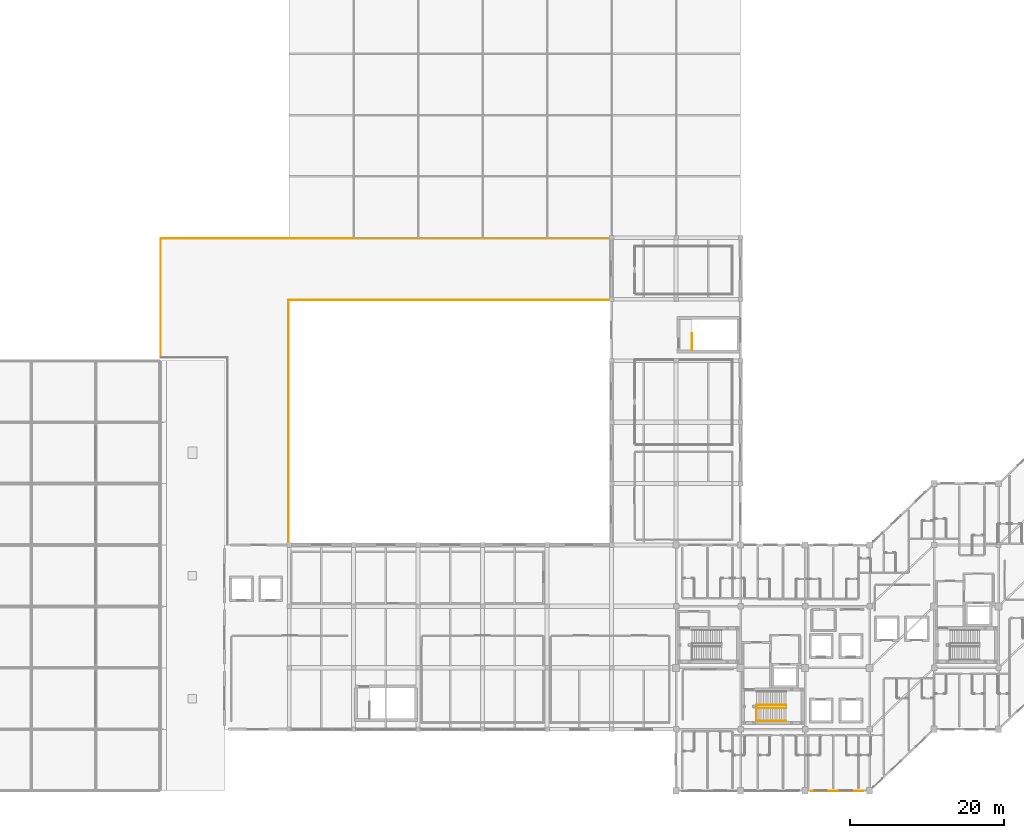
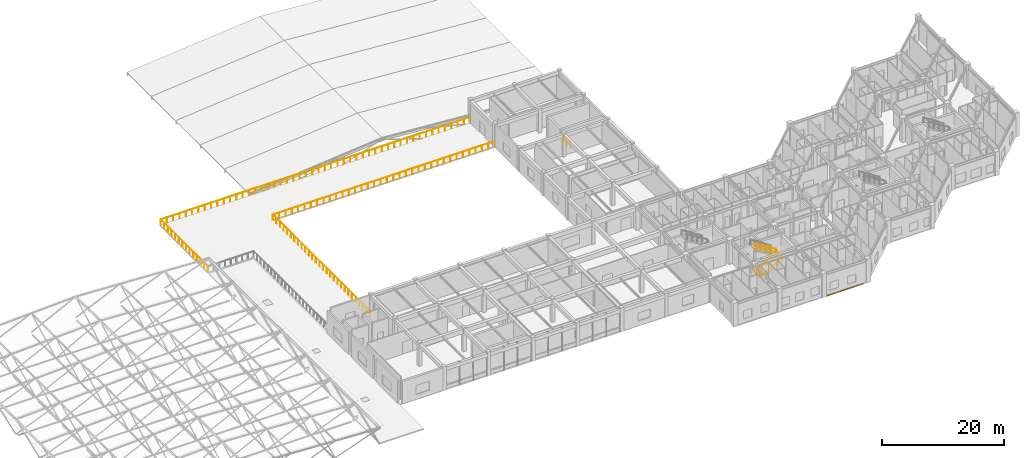
# One storey, part 36 of 37: 9 railings, 1 covering.
"""IFC4 building model written with IfcOpenShell, lengths in metres."""

from ifc_helpers import new_model, si_unit, direction, frame, origin, origin_2d, place, context, subcontext, project, spatial, rectangle, circle, extrude, material, layer, layer_set, type_object, element, save


model = new_model("IFC4")

# Units and contexts
model_context = context("Model", 3, precision=1e-05, world=origin(), true_north=direction((0.0, 1.0)))
body_context = subcontext(model_context, "Body", "Model", "MODEL_VIEW")
ifc_project = project(units=[si_unit("LENGTHUNIT", "METRE"), si_unit("AREAUNIT", "SQUARE_METRE"), si_unit("VOLUMEUNIT", "CUBIC_METRE"), si_unit("PLANEANGLEUNIT", "RADIAN"), si_unit("MASSUNIT", "GRAM", prefix="KILO")], contexts=[model_context])

# Site, building, storey
site_placement = place(None, origin())
site = spatial("IfcSite", under=ifc_project, at=site_placement, CompositionType="ELEMENT")
building_placement = place(site_placement, origin())
building = spatial("IfcBuilding", under=site, at=building_placement, Name="Naruveol Harbour Congress Hotel", CompositionType="ELEMENT")
storey_placement = place(building_placement, frame((0.0, 0.0, 16.199951171875)))
storey = spatial("IfcBuildingStorey", under=building, at=storey_placement, Name="L03", CompositionType="ELEMENT", Elevation=16.199951171875)

# Covering
ifc_material_1 = material(Name="Precast concrete C40/50", Category="concrete")
ifc_layer_1 = layer(ifc_material_1, 0.044921875)
ifc_layer_set_1 = layer_set([ifc_layer_1], Name="Precast concrete C40/50")
covering_type = type_object("IfcCoveringType", Name="HONED INCHEON GRANITE SPANDREL CLADDING 45", PredefinedType="CLADDING", material=ifc_layer_set_1)
covering_placement = place(storey_placement, frame((138.60009765625, -0.02001953125, -0.25), z_axis=(0.0, 0.0, 1.0), x_axis=(1.0, 0.0, 0.0)))
element("IfcCovering", 1, at=covering_placement, inside=storey, type_object=covering_type, Name="Granite spandrel fascia cladding #12", PredefinedType="CLADDING", context=body_context, shape_type="SweptSolid", body=[
    extrude(rectangle(XDim=6.800048828125, YDim=0.044921875, at=origin_2d()), origin(), (0.0, 0.0, 1.0), 0.280029296875),
])

# Railings
ifc_material_2 = material(Name="Tempered Laminated Safety Glass & Stainless Steel", Category="steel")
ifc_layer_2 = layer(ifc_material_2, 0.06005859375)
ifc_layer_set_2 = layer_set([ifc_layer_2], Name="Tempered Laminated Safety Glass & Stainless Steel")
railing_type_1 = type_object("IfcRailingType", Name="LAMINATED GLASS TERRACE BALUSTRADE 1150", PredefinedType="BALUSTRADE", material=ifc_layer_set_2)
railing_1_placement = place(storey_placement, frame((50.47998046875, 56.419921875, 0.0)))
element("IfcRailing", 2, at=railing_1_placement, inside=storey, type_object=railing_type_1, Name="L03 Public Harbour Roof Terrace outer balustrade #64", PredefinedType="BALUSTRADE", context=body_context, shape_type="SweptSolid", body=[
    extrude(circle(Radius=0.02392578125, at=origin_2d()), frame((0.0, 0.0, 1.1259765625), z_axis=(0.0, 1.0, 0.0), x_axis=(-1.0, 0.0, 0.0)), (0.0, 0.0, 1.0), 15.5),
    extrude(circle(Radius=0.02099609375, at=origin_2d()), origin(), (0.0, 0.0, 1.0), 1.101806640625),
    extrude(circle(Radius=0.02099609375, at=origin_2d()), frame((0.0, 1.1923828125, 0.0)), (0.0, 0.0, 1.0), 1.101806640625),
    extrude(circle(Radius=0.02099609375, at=origin_2d()), frame((0.0, 2.384521484375, 0.0)), (0.0, 0.0, 1.0), 1.101806640625),
    extrude(circle(Radius=0.02099609375, at=origin_2d()), frame((0.0, 3.576904296875, 0.0)), (0.0, 0.0, 1.0), 1.101806640625),
    extrude(circle(Radius=0.02099609375, at=origin_2d()), frame((0.0, 4.769287109375, 0.0)), (0.0, 0.0, 1.0), 1.101806640625),
    extrude(circle(Radius=0.02099609375, at=origin_2d()), frame((0.0, 5.96142578125, 0.0)), (0.0, 0.0, 1.0), 1.101806640625),
    extrude(circle(Radius=0.02099609375, at=origin_2d()), frame((0.0, 7.15380859375, 0.0)), (0.0, 0.0, 1.0), 1.101806640625),
    extrude(circle(Radius=0.02099609375, at=origin_2d()), frame((0.0, 8.34619140625, 0.0)), (0.0, 0.0, 1.0), 1.101806640625),
    extrude(circle(Radius=0.02099609375, at=origin_2d()), frame((0.0, 9.53857421875, 0.0)), (0.0, 0.0, 1.0), 1.101806640625),
    extrude(circle(Radius=0.02099609375, at=origin_2d()), frame((0.0, 10.730712890625, 0.0)), (0.0, 0.0, 1.0), 1.101806640625),
    extrude(circle(Radius=0.02099609375, at=origin_2d()), frame((0.0, 11.923095703125, 0.0)), (0.0, 0.0, 1.0), 1.101806640625),
    extrude(circle(Radius=0.02099609375, at=origin_2d()), frame((0.0, 13.115478515625, 0.0)), (0.0, 0.0, 1.0), 1.101806640625),
    extrude(circle(Radius=0.02099609375, at=origin_2d()), frame((0.0, 14.3076171875, 0.0)), (0.0, 0.0, 1.0), 1.101806640625),
    extrude(circle(Radius=0.02099609375, at=origin_2d()), frame((0.0, 15.5, 0.0)), (0.0, 0.0, 1.0), 1.101806640625),
])
railing_2_placement = place(storey_placement, frame((50.47998046875, 71.919921875, 0.0)))
element("IfcRailing", 3, at=railing_2_placement, inside=storey, type_object=railing_type_1, Name="L03 Public Harbour Roof Terrace outer balustrade #65", PredefinedType="BALUSTRADE", context=body_context, shape_type="SweptSolid", body=[
    extrude(circle(Radius=0.02392578125, at=origin_2d()), frame((0.0, 0.0, 1.1259765625), z_axis=(1.0, 0.0, 0.0), x_axis=(0.0, 1.0, 0.0)), (0.0, 0.0, 1.0), 58.64013671875),
    extrude(circle(Radius=0.02099609375, at=origin_2d()), origin(), (0.0, 0.0, 1.0), 1.101806640625),
    extrude(circle(Radius=0.02099609375, at=origin_2d()), frame((1.19677734375, 0.0, 0.0)), (0.0, 0.0, 1.0), 1.101806640625),
    extrude(circle(Radius=0.02099609375, at=origin_2d()), frame((2.3935546875, 0.0, 0.0)), (0.0, 0.0, 1.0), 1.101806640625),
    extrude(circle(Radius=0.02099609375, at=origin_2d()), frame((3.59033203125, 0.0, 0.0)), (0.0, 0.0, 1.0), 1.101806640625),
    extrude(circle(Radius=0.02099609375, at=origin_2d()), frame((4.786865234375, 0.0, 0.0)), (0.0, 0.0, 1.0), 1.101806640625),
    extrude(circle(Radius=0.02099609375, at=origin_2d()), frame((5.983642578125, 0.0, 0.0)), (0.0, 0.0, 1.0), 1.101806640625),
    extrude(circle(Radius=0.02099609375, at=origin_2d()), frame((7.180419921875, 0.0, 0.0)), (0.0, 0.0, 1.0), 1.101806640625),
    extrude(circle(Radius=0.02099609375, at=origin_2d()), frame((8.377197265625, 0.0, 0.0)), (0.0, 0.0, 1.0), 1.101806640625),
    extrude(circle(Radius=0.02099609375, at=origin_2d()), frame((9.573974609375, 0.0, 0.0)), (0.0, 0.0, 1.0), 1.101806640625),
    extrude(circle(Radius=0.02099609375, at=origin_2d()), frame((10.770751953125, 0.0, 0.0)), (0.0, 0.0, 1.0), 1.101806640625),
    extrude(circle(Radius=0.02099609375, at=origin_2d()), frame((11.96728515625, 0.0, 0.0)), (0.0, 0.0, 1.0), 1.101806640625),
    extrude(circle(Radius=0.02099609375, at=origin_2d()), frame((13.1640625, 0.0, 0.0)), (0.0, 0.0, 1.0), 1.101806640625),
    extrude(circle(Radius=0.02099609375, at=origin_2d()), frame((14.36083984375, 0.0, 0.0)), (0.0, 0.0, 1.0), 1.101806640625),
    extrude(circle(Radius=0.02099609375, at=origin_2d()), frame((15.5576171875, 0.0, 0.0)), (0.0, 0.0, 1.0), 1.101806640625),
    extrude(circle(Radius=0.02099609375, at=origin_2d()), frame((16.75439453125, 0.0, 0.0)), (0.0, 0.0, 1.0), 1.101806640625),
    extrude(circle(Radius=0.02099609375, at=origin_2d()), frame((17.951171875, 0.0, 0.0)), (0.0, 0.0, 1.0), 1.101806640625),
    extrude(circle(Radius=0.02099609375, at=origin_2d()), frame((19.147705078125, 0.0, 0.0)), (0.0, 0.0, 1.0), 1.101806640625),
    extrude(circle(Radius=0.02099609375, at=origin_2d()), frame((20.344482421875, 0.0, 0.0)), (0.0, 0.0, 1.0), 1.101806640625),
    extrude(circle(Radius=0.02099609375, at=origin_2d()), frame((21.541259765625, 0.0, 0.0)), (0.0, 0.0, 1.0), 1.101806640625),
    extrude(circle(Radius=0.02099609375, at=origin_2d()), frame((22.738037109375, 0.0, 0.0)), (0.0, 0.0, 1.0), 1.101806640625),
    extrude(circle(Radius=0.02099609375, at=origin_2d()), frame((23.934814453125, 0.0, 0.0)), (0.0, 0.0, 1.0), 1.101806640625),
    extrude(circle(Radius=0.02099609375, at=origin_2d()), frame((25.131591796875, 0.0, 0.0)), (0.0, 0.0, 1.0), 1.101806640625),
    extrude(circle(Radius=0.02099609375, at=origin_2d()), frame((26.328125, 0.0, 0.0)), (0.0, 0.0, 1.0), 1.101806640625),
    extrude(circle(Radius=0.02099609375, at=origin_2d()), frame((27.52490234375, 0.0, 0.0)), (0.0, 0.0, 1.0), 1.101806640625),
    extrude(circle(Radius=0.02099609375, at=origin_2d()), frame((28.7216796875, 0.0, 0.0)), (0.0, 0.0, 1.0), 1.101806640625),
    extrude(circle(Radius=0.02099609375, at=origin_2d()), frame((29.91845703125, 0.0, 0.0)), (0.0, 0.0, 1.0), 1.101806640625),
    extrude(circle(Radius=0.02099609375, at=origin_2d()), frame((31.115234375, 0.0, 0.0)), (0.0, 0.0, 1.0), 1.101806640625),
    extrude(circle(Radius=0.02099609375, at=origin_2d()), frame((32.31201171875, 0.0, 0.0)), (0.0, 0.0, 1.0), 1.101806640625),
    extrude(circle(Radius=0.02099609375, at=origin_2d()), frame((33.508544921875, 0.0, 0.0)), (0.0, 0.0, 1.0), 1.101806640625),
    extrude(circle(Radius=0.02099609375, at=origin_2d()), frame((34.705322265625, 0.0, 0.0)), (0.0, 0.0, 1.0), 1.101806640625),
    extrude(circle(Radius=0.02099609375, at=origin_2d()), frame((35.902099609375, 0.0, 0.0)), (0.0, 0.0, 1.0), 1.101806640625),
    extrude(circle(Radius=0.02099609375, at=origin_2d()), frame((37.098876953125, 0.0, 0.0)), (0.0, 0.0, 1.0), 1.101806640625),
    extrude(circle(Radius=0.02099609375, at=origin_2d()), frame((38.295654296875, 0.0, 0.0)), (0.0, 0.0, 1.0), 1.101806640625),
    extrude(circle(Radius=0.02099609375, at=origin_2d()), frame((39.492431640625, 0.0, 0.0)), (0.0, 0.0, 1.0), 1.101806640625),
    extrude(circle(Radius=0.02099609375, at=origin_2d()), frame((40.68896484375, 0.0, 0.0)), (0.0, 0.0, 1.0), 1.101806640625),
    extrude(circle(Radius=0.02099609375, at=origin_2d()), frame((41.8857421875, 0.0, 0.0)), (0.0, 0.0, 1.0), 1.101806640625),
    extrude(circle(Radius=0.02099609375, at=origin_2d()), frame((43.08251953125, 0.0, 0.0)), (0.0, 0.0, 1.0), 1.101806640625),
    extrude(circle(Radius=0.02099609375, at=origin_2d()), frame((44.279296875, 0.0, 0.0)), (0.0, 0.0, 1.0), 1.101806640625),
    extrude(circle(Radius=0.02099609375, at=origin_2d()), frame((45.47607421875, 0.0, 0.0)), (0.0, 0.0, 1.0), 1.101806640625),
    extrude(circle(Radius=0.02099609375, at=origin_2d()), frame((46.6728515625, 0.0, 0.0)), (0.0, 0.0, 1.0), 1.101806640625),
    extrude(circle(Radius=0.02099609375, at=origin_2d()), frame((47.869384765625, 0.0, 0.0)), (0.0, 0.0, 1.0), 1.101806640625),
    extrude(circle(Radius=0.02099609375, at=origin_2d()), frame((49.066162109375, 0.0, 0.0)), (0.0, 0.0, 1.0), 1.101806640625),
    extrude(circle(Radius=0.02099609375, at=origin_2d()), frame((50.262939453125, 0.0, 0.0)), (0.0, 0.0, 1.0), 1.101806640625),
    extrude(circle(Radius=0.02099609375, at=origin_2d()), frame((51.459716796875, 0.0, 0.0)), (0.0, 0.0, 1.0), 1.101806640625),
    extrude(circle(Radius=0.02099609375, at=origin_2d()), frame((52.656494140625, 0.0, 0.0)), (0.0, 0.0, 1.0), 1.101806640625),
    extrude(circle(Radius=0.02099609375, at=origin_2d()), frame((53.853271484375, 0.0, 0.0)), (0.0, 0.0, 1.0), 1.101806640625),
    extrude(circle(Radius=0.02099609375, at=origin_2d()), frame((55.0498046875, 0.0, 0.0)), (0.0, 0.0, 1.0), 1.101806640625),
    extrude(circle(Radius=0.02099609375, at=origin_2d()), frame((56.24658203125, 0.0, 0.0)), (0.0, 0.0, 1.0), 1.101806640625),
    extrude(circle(Radius=0.02099609375, at=origin_2d()), frame((57.443359375, 0.0, 0.0)), (0.0, 0.0, 1.0), 1.101806640625),
    extrude(circle(Radius=0.02099609375, at=origin_2d()), frame((58.64013671875, 0.0, 0.0)), (0.0, 0.0, 1.0), 1.101806640625),
])
railing_3_placement = place(storey_placement, frame((67.1201171875, 32.080078125, 0.0)))
element("IfcRailing", 4, at=railing_3_placement, inside=storey, type_object=railing_type_1, Name="L03 Tidal Court terrace edge balustrade #66", PredefinedType="BALUSTRADE", context=body_context, shape_type="SweptSolid", body=[
    extrude(circle(Radius=0.02392578125, at=origin_2d()), frame((0.0, 0.0, 1.1259765625), z_axis=(0.0, 1.0, 0.0), x_axis=(-1.0, 0.0, 0.0)), (0.0, 0.0, 1.0), 31.83984375),
    extrude(circle(Radius=0.02099609375, at=origin_2d()), origin(), (0.0, 0.0, 1.0), 1.101806640625),
    extrude(circle(Radius=0.02099609375, at=origin_2d()), frame((0.0, 1.17919921875, 0.0)), (0.0, 0.0, 1.0), 1.101806640625),
    extrude(circle(Radius=0.02099609375, at=origin_2d()), frame((0.0, 2.3583984375, 0.0)), (0.0, 0.0, 1.0), 1.101806640625),
    extrude(circle(Radius=0.02099609375, at=origin_2d()), frame((0.0, 3.537841796875, 0.0)), (0.0, 0.0, 1.0), 1.101806640625),
    extrude(circle(Radius=0.02099609375, at=origin_2d()), frame((0.0, 4.717041015625, 0.0)), (0.0, 0.0, 1.0), 1.101806640625),
    extrude(circle(Radius=0.02099609375, at=origin_2d()), frame((0.0, 5.896240234375, 0.0)), (0.0, 0.0, 1.0), 1.101806640625),
    extrude(circle(Radius=0.02099609375, at=origin_2d()), frame((0.0, 7.075439453125, 0.0)), (0.0, 0.0, 1.0), 1.101806640625),
    extrude(circle(Radius=0.02099609375, at=origin_2d()), frame((0.0, 8.2548828125, 0.0)), (0.0, 0.0, 1.0), 1.101806640625),
    extrude(circle(Radius=0.02099609375, at=origin_2d()), frame((0.0, 9.43408203125, 0.0)), (0.0, 0.0, 1.0), 1.101806640625),
    extrude(circle(Radius=0.02099609375, at=origin_2d()), frame((0.0, 10.61328125, 0.0)), (0.0, 0.0, 1.0), 1.101806640625),
    extrude(circle(Radius=0.02099609375, at=origin_2d()), frame((0.0, 11.79248046875, 0.0)), (0.0, 0.0, 1.0), 1.101806640625),
    extrude(circle(Radius=0.02099609375, at=origin_2d()), frame((0.0, 12.9716796875, 0.0)), (0.0, 0.0, 1.0), 1.101806640625),
    extrude(circle(Radius=0.02099609375, at=origin_2d()), frame((0.0, 14.151123046875, 0.0)), (0.0, 0.0, 1.0), 1.101806640625),
    extrude(circle(Radius=0.02099609375, at=origin_2d()), frame((0.0, 15.330322265625, 0.0)), (0.0, 0.0, 1.0), 1.101806640625),
    extrude(circle(Radius=0.02099609375, at=origin_2d()), frame((0.0, 16.509521484375, 0.0)), (0.0, 0.0, 1.0), 1.101806640625),
    extrude(circle(Radius=0.02099609375, at=origin_2d()), frame((0.0, 17.688720703125, 0.0)), (0.0, 0.0, 1.0), 1.101806640625),
    extrude(circle(Radius=0.02099609375, at=origin_2d()), frame((0.0, 18.8681640625, 0.0)), (0.0, 0.0, 1.0), 1.101806640625),
    extrude(circle(Radius=0.02099609375, at=origin_2d()), frame((0.0, 20.04736328125, 0.0)), (0.0, 0.0, 1.0), 1.101806640625),
    extrude(circle(Radius=0.02099609375, at=origin_2d()), frame((0.0, 21.2265625, 0.0)), (0.0, 0.0, 1.0), 1.101806640625),
    extrude(circle(Radius=0.02099609375, at=origin_2d()), frame((0.0, 22.40576171875, 0.0)), (0.0, 0.0, 1.0), 1.101806640625),
    extrude(circle(Radius=0.02099609375, at=origin_2d()), frame((0.0, 23.5849609375, 0.0)), (0.0, 0.0, 1.0), 1.101806640625),
    extrude(circle(Radius=0.02099609375, at=origin_2d()), frame((0.0, 24.764404296875, 0.0)), (0.0, 0.0, 1.0), 1.101806640625),
    extrude(circle(Radius=0.02099609375, at=origin_2d()), frame((0.0, 25.943603515625, 0.0)), (0.0, 0.0, 1.0), 1.101806640625),
    extrude(circle(Radius=0.02099609375, at=origin_2d()), frame((0.0, 27.122802734375, 0.0)), (0.0, 0.0, 1.0), 1.101806640625),
    extrude(circle(Radius=0.02099609375, at=origin_2d()), frame((0.0, 28.302001953125, 0.0)), (0.0, 0.0, 1.0), 1.101806640625),
    extrude(circle(Radius=0.02099609375, at=origin_2d()), frame((0.0, 29.4814453125, 0.0)), (0.0, 0.0, 1.0), 1.101806640625),
    extrude(circle(Radius=0.02099609375, at=origin_2d()), frame((0.0, 30.66064453125, 0.0)), (0.0, 0.0, 1.0), 1.101806640625),
    extrude(circle(Radius=0.02099609375, at=origin_2d()), frame((0.0, 31.83984375, 0.0)), (0.0, 0.0, 1.0), 1.101806640625),
])
railing_4_placement = place(storey_placement, frame((67.1201171875, 63.919921875, 0.0)))
element("IfcRailing", 5, at=railing_4_placement, inside=storey, type_object=railing_type_1, Name="L03 Tidal Court terrace edge balustrade #67", PredefinedType="BALUSTRADE", context=body_context, shape_type="SweptSolid", body=[
    extrude(circle(Radius=0.02392578125, at=origin_2d()), frame((0.0, 0.0, 1.1259765625), z_axis=(1.0, 0.0, 0.0), x_axis=(0.0, 1.0, 0.0)), (0.0, 0.0, 1.0), 42.0),
    extrude(circle(Radius=0.02099609375, at=origin_2d()), origin(), (0.0, 0.0, 1.0), 1.101806640625),
    extrude(circle(Radius=0.02099609375, at=origin_2d()), frame((1.199951171875, 0.0, 0.0)), (0.0, 0.0, 1.0), 1.101806640625),
    extrude(circle(Radius=0.02099609375, at=origin_2d()), frame((2.39990234375, 0.0, 0.0)), (0.0, 0.0, 1.0), 1.101806640625),
    extrude(circle(Radius=0.02099609375, at=origin_2d()), frame((3.60009765625, 0.0, 0.0)), (0.0, 0.0, 1.0), 1.101806640625),
    extrude(circle(Radius=0.02099609375, at=origin_2d()), frame((4.800048828125, 0.0, 0.0)), (0.0, 0.0, 1.0), 1.101806640625),
    extrude(circle(Radius=0.02099609375, at=origin_2d()), frame((6.0, 0.0, 0.0)), (0.0, 0.0, 1.0), 1.101806640625),
    extrude(circle(Radius=0.02099609375, at=origin_2d()), frame((7.199951171875, 0.0, 0.0)), (0.0, 0.0, 1.0), 1.101806640625),
    extrude(circle(Radius=0.02099609375, at=origin_2d()), frame((8.39990234375, 0.0, 0.0)), (0.0, 0.0, 1.0), 1.101806640625),
    extrude(circle(Radius=0.02099609375, at=origin_2d()), frame((9.60009765625, 0.0, 0.0)), (0.0, 0.0, 1.0), 1.101806640625),
    extrude(circle(Radius=0.02099609375, at=origin_2d()), frame((10.800048828125, 0.0, 0.0)), (0.0, 0.0, 1.0), 1.101806640625),
    extrude(circle(Radius=0.02099609375, at=origin_2d()), frame((12.0, 0.0, 0.0)), (0.0, 0.0, 1.0), 1.101806640625),
    extrude(circle(Radius=0.02099609375, at=origin_2d()), frame((13.199951171875, 0.0, 0.0)), (0.0, 0.0, 1.0), 1.101806640625),
    extrude(circle(Radius=0.02099609375, at=origin_2d()), frame((14.39990234375, 0.0, 0.0)), (0.0, 0.0, 1.0), 1.101806640625),
    extrude(circle(Radius=0.02099609375, at=origin_2d()), frame((15.60009765625, 0.0, 0.0)), (0.0, 0.0, 1.0), 1.101806640625),
    extrude(circle(Radius=0.02099609375, at=origin_2d()), frame((16.800048828125, 0.0, 0.0)), (0.0, 0.0, 1.0), 1.101806640625),
    extrude(circle(Radius=0.02099609375, at=origin_2d()), frame((18.0, 0.0, 0.0)), (0.0, 0.0, 1.0), 1.101806640625),
    extrude(circle(Radius=0.02099609375, at=origin_2d()), frame((19.199951171875, 0.0, 0.0)), (0.0, 0.0, 1.0), 1.101806640625),
    extrude(circle(Radius=0.02099609375, at=origin_2d()), frame((20.39990234375, 0.0, 0.0)), (0.0, 0.0, 1.0), 1.101806640625),
    extrude(circle(Radius=0.02099609375, at=origin_2d()), frame((21.60009765625, 0.0, 0.0)), (0.0, 0.0, 1.0), 1.101806640625),
    extrude(circle(Radius=0.02099609375, at=origin_2d()), frame((22.800048828125, 0.0, 0.0)), (0.0, 0.0, 1.0), 1.101806640625),
    extrude(circle(Radius=0.02099609375, at=origin_2d()), frame((24.0, 0.0, 0.0)), (0.0, 0.0, 1.0), 1.101806640625),
    extrude(circle(Radius=0.02099609375, at=origin_2d()), frame((25.199951171875, 0.0, 0.0)), (0.0, 0.0, 1.0), 1.101806640625),
    extrude(circle(Radius=0.02099609375, at=origin_2d()), frame((26.39990234375, 0.0, 0.0)), (0.0, 0.0, 1.0), 1.101806640625),
    extrude(circle(Radius=0.02099609375, at=origin_2d()), frame((27.60009765625, 0.0, 0.0)), (0.0, 0.0, 1.0), 1.101806640625),
    extrude(circle(Radius=0.02099609375, at=origin_2d()), frame((28.800048828125, 0.0, 0.0)), (0.0, 0.0, 1.0), 1.101806640625),
    extrude(circle(Radius=0.02099609375, at=origin_2d()), frame((30.0, 0.0, 0.0)), (0.0, 0.0, 1.0), 1.101806640625),
    extrude(circle(Radius=0.02099609375, at=origin_2d()), frame((31.199951171875, 0.0, 0.0)), (0.0, 0.0, 1.0), 1.101806640625),
    extrude(circle(Radius=0.02099609375, at=origin_2d()), frame((32.39990234375, 0.0, 0.0)), (0.0, 0.0, 1.0), 1.101806640625),
    extrude(circle(Radius=0.02099609375, at=origin_2d()), frame((33.60009765625, 0.0, 0.0)), (0.0, 0.0, 1.0), 1.101806640625),
    extrude(circle(Radius=0.02099609375, at=origin_2d()), frame((34.800048828125, 0.0, 0.0)), (0.0, 0.0, 1.0), 1.101806640625),
    extrude(circle(Radius=0.02099609375, at=origin_2d()), frame((36.0, 0.0, 0.0)), (0.0, 0.0, 1.0), 1.101806640625),
    extrude(circle(Radius=0.02099609375, at=origin_2d()), frame((37.199951171875, 0.0, 0.0)), (0.0, 0.0, 1.0), 1.101806640625),
    extrude(circle(Radius=0.02099609375, at=origin_2d()), frame((38.39990234375, 0.0, 0.0)), (0.0, 0.0, 1.0), 1.101806640625),
    extrude(circle(Radius=0.02099609375, at=origin_2d()), frame((39.60009765625, 0.0, 0.0)), (0.0, 0.0, 1.0), 1.101806640625),
    extrude(circle(Radius=0.02099609375, at=origin_2d()), frame((40.800048828125, 0.0, 0.0)), (0.0, 0.0, 1.0), 1.101806640625),
    extrude(circle(Radius=0.02099609375, at=origin_2d()), frame((42.0, 0.0, 0.0)), (0.0, 0.0, 1.0), 1.101806640625),
])
ifc_material_3 = material(Name="Stainless Steel 304", Category="steel")
ifc_layer_3 = layer(ifc_material_3, 0.0419921875)
ifc_layer_set_3 = layer_set([ifc_layer_3], Name="Stainless Steel 304")
railing_type_2 = type_object("IfcRailingType", Name="STAIR WALL MOUNTED HANDRAIL 900", PredefinedType="HANDRAIL", material=ifc_layer_set_3)
railing_5_placement = place(storey_placement, frame((128.10009765625, 9.06005859375, 0.0)))
element("IfcRailing", 6, at=railing_5_placement, inside=storey, type_object=railing_type_2, Name="Stair ST1 L03 lower wall handrail", PredefinedType="HANDRAIL", context=body_context, shape_type="SweptSolid", body=[
    extrude(circle(Radius=0.02392578125, at=origin_2d()), frame((0.0, 0.0, 0.8759765625), z_axis=(0.847670718537, 0.0, 0.530522716701), x_axis=(0.0, 1.0, 0.0)), (0.0, 0.0, 1.0), 4.524169921875),
    extrude(circle(Radius=0.02099609375, at=origin_2d()), origin(), (0.0, 0.0, 1.0), 0.851806640625),
    extrude(circle(Radius=0.02099609375, at=origin_2d()), frame((0.958740234375, 0.0, 0.60009765625)), (0.0, 0.0, 1.0), 0.851806640625),
    extrude(circle(Radius=0.02099609375, at=origin_2d()), frame((1.91748046875, 0.0, 1.2001953125)), (0.0, 0.0, 1.0), 0.851806640625),
    extrude(circle(Radius=0.02099609375, at=origin_2d()), frame((2.876220703125, 0.0, 1.800048828125)), (0.0, 0.0, 1.0), 0.851806640625),
    extrude(circle(Radius=0.02099609375, at=origin_2d()), frame((3.8349609375, 0.0, 2.400146484375)), (0.0, 0.0, 1.0), 0.851806640625),
])
ifc_material_4 = material(Name="Steel SN490", Category="steel")
ifc_layer_4 = layer(ifc_material_4, 0.044921875)
ifc_layer_set_4 = layer_set([ifc_layer_4], Name="Steel SN490")
railing_type_3 = type_object("IfcRailingType", Name="STAIRWELL STEEL GUARDRAIL 1150", PredefinedType="GUARDRAIL", material=ifc_layer_set_4)
railing_6_placement = place(storey_placement, frame((128.10009765625, 10.7900390625, 0.0)))
element("IfcRailing", 7, at=railing_6_placement, inside=storey, type_object=railing_type_3, Name="Stair ST1 L03 lower well guard", PredefinedType="GUARDRAIL", context=body_context, shape_type="SweptSolid", body=[
    extrude(circle(Radius=0.02392578125, at=origin_2d()), frame((0.0, 0.0, 1.1259765625), z_axis=(0.847670718537, 0.0, 0.530522716701), x_axis=(0.0, 1.0, 0.0)), (0.0, 0.0, 1.0), 4.524169921875),
    extrude(circle(Radius=0.02099609375, at=origin_2d()), origin(), (0.0, 0.0, 1.0), 1.101806640625),
    extrude(circle(Radius=0.02099609375, at=origin_2d()), frame((0.958740234375, 0.0, 0.60009765625)), (0.0, 0.0, 1.0), 1.101806640625),
    extrude(circle(Radius=0.02099609375, at=origin_2d()), frame((1.91748046875, 0.0, 1.2001953125)), (0.0, 0.0, 1.0), 1.101806640625),
    extrude(circle(Radius=0.02099609375, at=origin_2d()), frame((2.876220703125, 0.0, 1.800048828125)), (0.0, 0.0, 1.0), 1.101806640625),
    extrude(circle(Radius=0.02099609375, at=origin_2d()), frame((3.8349609375, 0.0, 2.400146484375)), (0.0, 0.0, 1.0), 1.101806640625),
])
railing_7_placement = place(storey_placement, frame((131.93505859375, 11.169921875, 2.400146484375)))
element("IfcRailing", 8, at=railing_7_placement, inside=storey, type_object=railing_type_3, Name="Stair ST1 L03 upper well guard", PredefinedType="GUARDRAIL", context=body_context, shape_type="SweptSolid", body=[
    extrude(circle(Radius=0.02392578125, at=origin_2d()), frame((0.0, 0.0, 1.1259765625), z_axis=(-0.847694986538, 0.0, 0.530483939246), x_axis=(0.0, -1.0, 0.0)), (0.0, 0.0, 1.0), 4.52392578125),
    extrude(circle(Radius=0.02099609375, at=origin_2d()), origin(), (0.0, 0.0, 1.0), 1.101806640625),
    extrude(circle(Radius=0.02099609375, at=origin_2d()), frame((-0.958740234375, 0.0, 0.60009765625)), (0.0, 0.0, 1.0), 1.101806640625),
    extrude(circle(Radius=0.02099609375, at=origin_2d()), frame((-1.91748046875, 0.0, 1.199951171875)), (0.0, 0.0, 1.0), 1.101806640625),
    extrude(circle(Radius=0.02099609375, at=origin_2d()), frame((-2.876220703125, 0.0, 1.7998046875)), (0.0, 0.0, 1.0), 1.101806640625),
    extrude(circle(Radius=0.02099609375, at=origin_2d()), frame((-3.8349609375, 0.0, 2.39990234375)), (0.0, 0.0, 1.0), 1.101806640625),
])
railing_8_placement = place(storey_placement, frame((128.06005859375, 9.02001953125, 0.0)))
element("IfcRailing", 9, at=railing_8_placement, inside=storey, type_object=railing_type_3, Name="Stair ST1 L03 landing well guard", PredefinedType="GUARDRAIL", context=body_context, shape_type="SweptSolid", body=[
    extrude(circle(Radius=0.02392578125, at=origin_2d()), frame((0.0, 0.0, 1.1259765625), z_axis=(0.0, 1.0, 0.0), x_axis=(-1.0, 0.0, 0.0)), (0.0, 0.0, 1.0), 2.14990234375),
    extrude(circle(Radius=0.02099609375, at=origin_2d()), origin(), (0.0, 0.0, 1.0), 1.101806640625),
    extrude(circle(Radius=0.02099609375, at=origin_2d()), frame((0.0, 1.074951171875, 0.0)), (0.0, 0.0, 1.0), 1.101806640625),
    extrude(circle(Radius=0.02099609375, at=origin_2d()), frame((0.0, 2.14990234375, 0.0)), (0.0, 0.0, 1.0), 1.101806640625),
])
railing_9_placement = place(storey_placement, frame((119.659912109375, 57.419921875, 0.0)))
element("IfcRailing", 10, at=railing_9_placement, inside=storey, type_object=railing_type_3, Name="Stair ST9 L03 top-floor well guard", PredefinedType="GUARDRAIL", context=body_context, shape_type="SweptSolid", body=[
    extrude(circle(Radius=0.02392578125, at=origin_2d()), frame((0.0, 0.0, 1.1259765625), z_axis=(0.0, 1.0, 0.0), x_axis=(-1.0, 0.0, 0.0)), (0.0, 0.0, 1.0), 2.150146484375),
    extrude(circle(Radius=0.02099609375, at=origin_2d()), origin(), (0.0, 0.0, 1.0), 1.101806640625),
    extrude(circle(Radius=0.02099609375, at=origin_2d()), frame((0.0, 1.0751953125, 0.0)), (0.0, 0.0, 1.0), 1.101806640625),
    extrude(circle(Radius=0.02099609375, at=origin_2d()), frame((0.0, 2.150146484375, 0.0)), (0.0, 0.0, 1.0), 1.101806640625),
])

save(model, "model.ifc")
